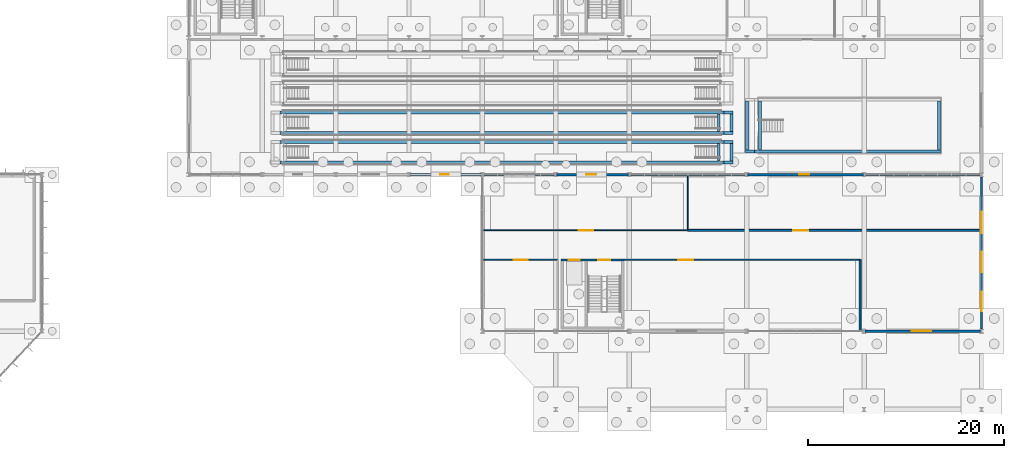
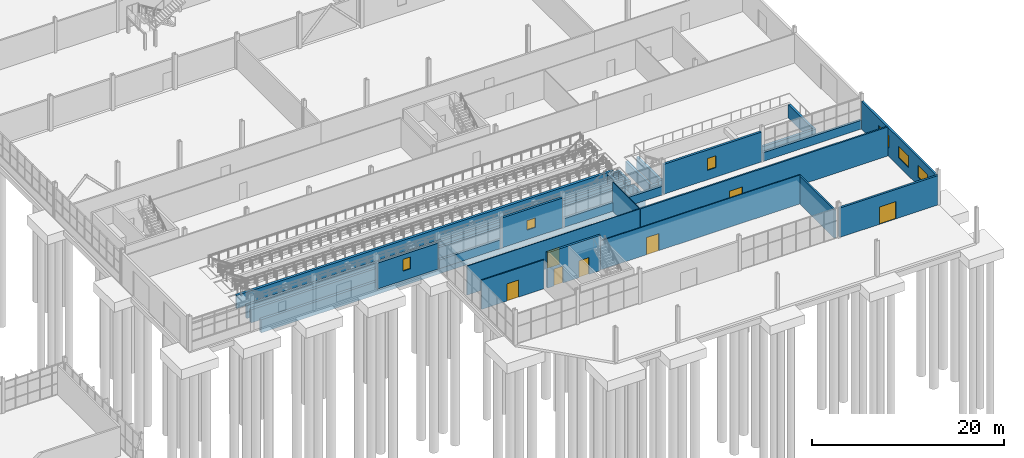
# One storey, part 114 of 136: 32 walls, 7 doors, 6 windows, 13 openings.
"""IFC4 building model written with IfcOpenShell, lengths in metres."""

import ifcopenshell
import ifcopenshell.guid

model = None  # the IFC model being written
_history = None  # IfcOwnerHistory: only IFC2X3 demands one
_inside = {}  # id of a spatial element -> (the spatial element, [elements in it])
_under = {}  # id of a project, library or spatial element -> (it, [spatial elements below it])
_declared = {}  # id of a project -> (the project, [libraries it declares])
_typed = {}  # id of a type object -> (the type object, [elements of that type])
_made_of = {}  # id of a material, layer set ... -> (it, [elements and type objects made of it])


def new_model(schema):
    """Start an empty IFC model of exactly this schema.

    Asked for "IFC4X3", IfcOpenShell would pick the latest addendum, in which some entities
    have other attributes; the version numbers below select the first issue.
    IFC2X3 requires an IfcOwnerHistory on every rooted entity: one is made here for all.
    """
    global model, _history
    if schema == "IFC4X3":
        model = ifcopenshell.file(schema_version=(4, 3, 0, 0))
    else:
        model = ifcopenshell.file(schema=schema)
    _inside.clear()
    _under.clear()
    _declared.clear()
    _typed.clear()
    _made_of.clear()
    _history = None
    if model.schema == "IFC2X3":
        org = make("IfcOrganization", Name="unknown")
        user = make(
            "IfcPersonAndOrganization",
            ThePerson=make("IfcPerson", FamilyName="unknown"),
            TheOrganization=org,
        )
        app = make(
            "IfcApplication",
            ApplicationDeveloper=org,
            Version="unknown",
            ApplicationFullName="unknown",
            ApplicationIdentifier="unknown",
        )
        _history = make(
            "IfcOwnerHistory",
            OwningUser=user,
            OwningApplication=app,
            ChangeAction="ADDED",
            CreationDate=0,
        )
    return model


def make(cls, **values):
    """One entity of the class cls with the attributes given. An attribute that is None is left unset."""
    return model.create_entity(
        cls, **{name: value for name, value in values.items() if value is not None}
    )


def rooted(cls, **values):
    """An entity with a GlobalId (a new one), such as an element, a storey or a relation."""
    return make(cls, GlobalId=ifcopenshell.guid.new(), OwnerHistory=_history, **values)


def si_unit(unit_type, name, prefix=None):
    """IfcSIUnit, for example si_unit("LENGTHUNIT", "METRE", prefix="MILLI")."""
    return make("IfcSIUnit", UnitType=unit_type, Prefix=prefix, Name=name)


def assignment(units):
    """IfcUnitAssignment: the units of a project."""
    return None if units is None else make("IfcUnitAssignment", Units=units)


def point(xyz):
    """IfcCartesianPoint."""
    return None if xyz is None else make("IfcCartesianPoint", Coordinates=xyz)


def direction(xyz):
    """IfcDirection."""
    return None if xyz is None else make("IfcDirection", DirectionRatios=xyz)


def frame(location, z_axis=None, x_axis=None):
    """IfcAxis2Placement3D, a coordinate frame: its origin and axes. An axis left out is left unset."""
    return make(
        "IfcAxis2Placement3D",
        Location=point(location),
        Axis=direction(z_axis),
        RefDirection=direction(x_axis),
    )


def frame_2d(location, x_axis=None):
    """IfcAxis2Placement2D, a coordinate frame in the plane: its origin and x axis."""
    return make(
        "IfcAxis2Placement2D", Location=point(location), RefDirection=direction(x_axis)
    )


def origin():
    """The frame at (0, 0, 0) with its axes left unset."""
    return frame((0.0, 0.0, 0.0))


def place(relative_to, where):
    """IfcLocalPlacement: puts the frame where relative to a parent placement (None: the world)."""
    return make(
        "IfcLocalPlacement", PlacementRelTo=relative_to, RelativePlacement=where
    )


def context(
    kind, dimensions, precision=None, world=None, true_north=None, identifier=None
):
    """IfcGeometricRepresentationContext, for example the 3D "Model" context."""
    return make(
        "IfcGeometricRepresentationContext",
        ContextIdentifier=identifier,
        ContextType=kind,
        CoordinateSpaceDimension=dimensions,
        Precision=precision,
        WorldCoordinateSystem=world,
        TrueNorth=true_north,
    )


def subcontext(parent, identifier, kind, view, scale=None):
    """IfcGeometricRepresentationSubContext, for example "Body" below "Model"."""
    return make(
        "IfcGeometricRepresentationSubContext",
        ContextIdentifier=identifier,
        ContextType=kind,
        ParentContext=parent,
        TargetScale=scale,
        TargetView=view,
    )


def project(units=None, contexts=None):
    """IfcProject with its units and contexts."""
    return rooted(
        "IfcProject",
        Name="project",
        RepresentationContexts=contexts,
        UnitsInContext=assignment(units),
    )


def spatial(cls, under=None, at=None, **own):
    """A site, building, storey or space (cls), placed at a placement, below another one or the project."""
    s = rooted(cls, ObjectPlacement=at, **own)
    if under is not None:
        _under.setdefault(under.id(), (under, []))[1].append(s)
    return s


def profile(cls, at=None, kind="AREA", **sizes):
    """A parametric profile (cls). Its sizes go by their IFC names, for example OverallWidth=200.0."""
    return make(cls, ProfileType=kind, Position=at, **sizes)


def rectangle(**sizes):
    """IfcRectangleProfileDef."""
    return profile("IfcRectangleProfileDef", **sizes)


def extrude(swept, where, along, depth):
    """IfcExtrudedAreaSolid: the profile swept, set in the frame where, extruded along a direction by depth."""
    return make(
        "IfcExtrudedAreaSolid",
        SweptArea=swept,
        Position=where,
        ExtrudedDirection=direction(along),
        Depth=depth,
    )


def shape(context_of_items, identifier, shape_type, items):
    """IfcShapeRepresentation: the items that make up one representation, for example the "Body"."""
    return make(
        "IfcShapeRepresentation",
        ContextOfItems=context_of_items,
        RepresentationIdentifier=identifier,
        RepresentationType=shape_type,
        Items=items,
    )


def material(Name=None, Category=None):
    """IfcMaterial."""
    return make("IfcMaterial", Name=Name, Category=Category)


def layer(
    of_material, thickness, ventilated=None, Name=None, Category=None, Priority=None
):
    """IfcMaterialLayer: one layer of a wall or slab, of a material (None: an air gap)."""
    return make(
        "IfcMaterialLayer",
        Material=of_material,
        LayerThickness=thickness,
        IsVentilated=ventilated,
        Name=Name,
        Category=Category,
        Priority=Priority,
    )


def layer_set(layers, Name=None):
    """IfcMaterialLayerSet."""
    return make("IfcMaterialLayerSet", MaterialLayers=layers, LayerSetName=Name)


def made_of(thing, what):
    """Note that an element or type object is made of a material, layer set ...; save() writes the relation."""
    if what is not None:
        _made_of.setdefault(what.id(), (what, []))[1].append(thing)
    return thing


def type_object(cls, material=None, **own):
    """A type object (cls), such as IfcWallType, which elements share."""
    return made_of(rooted(cls, **own), material)


def element(
    cls,
    number,
    at=None,
    inside=None,
    cuts=None,
    type_object=None,
    material=None,
    context=None,
    identifier="Body",
    shape_type=None,
    held_by="IfcProductDefinitionShape",
    body=None,
    shapes=None,
    **own,
):
    """One element of the class cls, such as IfcWall. Its Tag is "e" and its number.

    at: its placement. inside: the storey or other place that contains it. cuts: it is an
    opening in that element (IfcRelVoidsElement). A single representation is given by context,
    identifier, shape_type and body (its items); several are given by shapes. held_by: the class
    of the entity that holds the representations. save() writes the other relations.
    """
    e = rooted(cls, Tag="e%d" % number, ObjectPlacement=at, **own)
    if body is not None:
        shapes = [shape(context, identifier, shape_type, body)]
    if shapes is not None:
        e.Representation = make(held_by, Representations=shapes)
    if inside is not None:
        _inside.setdefault(inside.id(), (inside, []))[1].append(e)
    if cuts is not None:
        rooted(
            "IfcRelVoidsElement", RelatingBuildingElement=cuts, RelatedOpeningElement=e
        )
    if type_object is not None:
        _typed.setdefault(type_object.id(), (type_object, []))[1].append(e)
    return made_of(e, material)


def fill(opening, filler):
    """IfcRelFillsElement: the door or window that sits in an opening."""
    return rooted(
        "IfcRelFillsElement",
        RelatingOpeningElement=opening,
        RelatedBuildingElement=filler,
    )


def aggregate(whole, parts):
    """IfcRelAggregates: a whole, such as a stair, and the parts it consists of."""
    return rooted("IfcRelAggregates", RelatingObject=whole, RelatedObjects=parts)


def save(model, path):
    """Write the relations noted so far, then the file.

    IfcRelAggregates (storeys below a building ...), IfcRelContainedInSpatialStructure (elements
    in a storey), IfcRelDefinesByType, IfcRelAssociatesMaterial and IfcRelDeclares: one each for
    every whole, place, type object, material and project.
    """
    for whole, parts in _under.values():
        aggregate(whole, parts)
    for where, things in _inside.values():
        rooted(
            "IfcRelContainedInSpatialStructure",
            RelatedElements=things,
            RelatingStructure=where,
        )
    for kind, things in _typed.values():
        rooted("IfcRelDefinesByType", RelatedObjects=things, RelatingType=kind)
    for what, things in _made_of.values():
        rooted("IfcRelAssociatesMaterial", RelatedObjects=things, RelatingMaterial=what)
    for by, libraries in _declared.values():
        rooted("IfcRelDeclares", RelatingContext=by, RelatedDefinitions=libraries)
    model.write(path)


model = new_model("IFC4")

# Units and contexts
model_context = context("Model", 3, precision=1e-05, world=origin(), true_north=direction((0.0, 1.0)))
body_context = subcontext(model_context, "Body", "Model", "MODEL_VIEW")
ifc_project = project(units=[si_unit("LENGTHUNIT", "METRE"), si_unit("AREAUNIT", "SQUARE_METRE"), si_unit("VOLUMEUNIT", "CUBIC_METRE"), si_unit("PLANEANGLEUNIT", "RADIAN"), si_unit("MASSUNIT", "GRAM", prefix="KILO")], contexts=[model_context])

# Site, building, storey
site_placement = place(None, origin())
site = spatial("IfcSite", under=ifc_project, at=site_placement, CompositionType="ELEMENT")
building_placement = place(site_placement, origin())
building = spatial("IfcBuilding", under=site, at=building_placement, Name="Solvenia Promenade Tram Depot", CompositionType="ELEMENT")
storey_placement = place(building_placement, origin())
storey = spatial("IfcBuildingStorey", under=building, at=storey_placement, Name="L00", CompositionType="ELEMENT", Elevation=0.0)

# Wall, openings, doors
ifc_material_1 = material(Name="Concrete C28/35", Category="concrete")
ifc_layer_1 = layer(ifc_material_1, 0.25, Name="Concrete C28/35", Category="concrete")
ifc_layer_set_1 = layer_set([ifc_layer_1], Name="Concrete C28/35")
wall_type_1 = type_object("IfcWallType", Name="Wall-Core-250", PredefinedType="SHEAR", material=ifc_layer_set_1)
wall_1_placement = place(storey_placement, frame((143.050048828125, 15.27490234375, 0.0), z_axis=(0.0, 0.0, 1.0), x_axis=(1.0, 0.0, 0.0)))
wall_1 = element("IfcWall", 1, at=wall_1_placement, inside=storey, type_object=wall_type_1, Name="Core C8 Shear Wall WC-C8-L00-N", PredefinedType="SHEAR", context=body_context, shape_type="SweptSolid", body=[
    extrude(rectangle(XDim=6.39990234375, YDim=0.25, at=frame_2d((3.199951171875, 0.0))), origin(), (0.0, 0.0, 1.0), 4.5),
])
opening_1_placement = place(wall_1_placement, frame((0.800048828125, 0.0, 0.0)))
opening_1 = element("IfcOpeningElement", 2, at=opening_1_placement, cuts=wall_1, Name="Opening LD-08", PredefinedType="OPENING", context=body_context, shape_type="SweptSolid", body=[
    extrude(rectangle(XDim=1.10009765625, YDim=2.14990234375, at=frame_2d((0.550048828125, 1.074951171875))), frame((0.0, 0.135009765625, 0.0), z_axis=(0.0, -1.0, 0.0), x_axis=(1.0, 0.0, 0.0)), (0.0, 0.0, 1.0), 0.27001953125),
])
opening_2_placement = place(wall_1_placement, frame((3.77490234375, 0.0, 0.0)))
opening_2 = element("IfcOpeningElement", 3, at=opening_2_placement, cuts=wall_1, Name="Opening D-FD90", PredefinedType="OPENING", context=body_context, shape_type="SweptSolid", body=[
    extrude(rectangle(XDim=1.25, YDim=2.14990234375, at=frame_2d((0.625, 1.074951171875))), frame((0.0, 0.135009765625, 0.0), z_axis=(0.0, -1.0, 0.0), x_axis=(1.0, 0.0, 0.0)), (0.0, 0.0, 1.0), 0.27001953125),
])
ifc_material_2 = material(Name="Galvanized painted sheet steel", Category="steel")
door_type_1 = type_object("IfcDoorType", Name="Door-Lift-Pass-1100", OperationType="DOUBLE_DOOR_SLIDING", PredefinedType="DOOR", material=ifc_material_2)
door_1_placement = place(opening_1_placement, origin())
door_1 = element("IfcDoor", 4, at=door_1_placement, inside=storey, type_object=door_type_1, Name="Lift Landing Door LF-04 L00", OperationType="DOUBLE_DOOR_SLIDING", OverallHeight=2.14990234375, OverallWidth=1.10009765625, PredefinedType="DOOR", context=body_context, shape_type="SweptSolid", body=[
    extrude(rectangle(XDim=1.10009765625, YDim=2.14990234375, at=frame_2d((0.550048828125, 1.074951171875))), frame((0.0, 0.02490234375, 0.0), z_axis=(0.0, -1.0, 0.0), x_axis=(1.0, 0.0, 0.0)), (0.0, 0.0, 1.0), 0.050048828125),
])
fill(opening_1, door_1)
door_type_2 = type_object("IfcDoorType", Name="Door-Stair-FD90", OperationType="NOTDEFINED", PredefinedType="DOOR", material=ifc_material_2)
door_2_placement = place(opening_2_placement, origin())
door_2 = element("IfcDoor", 5, at=door_2_placement, inside=storey, type_object=door_type_2, Name="Exit Stair Door C8 L00", OperationType="SINGLE_SWING_RIGHT", OverallHeight=2.14990234375, OverallWidth=1.25, PredefinedType="DOOR", context=body_context, shape_type="SweptSolid", body=[
    extrude(rectangle(XDim=1.25, YDim=2.14990234375, at=frame_2d((0.625, 1.074951171875))), frame((0.0, 0.02490234375, 0.0), z_axis=(0.0, -1.0, 0.0), x_axis=(1.0, 0.0, 0.0)), (0.0, 0.0, 1.0), 0.050048828125),
])
fill(opening_2, door_2)

# Wall
ifc_material_3 = material(Name="Concrete blockwork masonry", Category="masonry")
ifc_layer_2 = layer(ifc_material_3, 0.18505859375, Name="Concrete blockwork masonry", Category="masonry")
ifc_layer_set_2 = layer_set([ifc_layer_2], Name="Concrete blockwork masonry")
wall_type_2 = type_object("IfcWallType", Name="Wall-Masonry-185", PredefinedType="PARTITIONING", material=ifc_layer_set_2)
wall_2_placement = place(storey_placement, frame((173.60009765625, 8.050048828125, 0.0), z_axis=(0.0, 0.0, 1.0), x_axis=(0.0, 1.0, 0.0)))
element("IfcWall", 6, at=wall_2_placement, inside=storey, type_object=wall_type_2, Name="Transit Visitor Gallery Dividing Wall WP-L00-048", PredefinedType="PARTITIONING", context=body_context, shape_type="SweptSolid", body=[
    extrude(rectangle(XDim=7.25, YDim=0.18505859375, at=frame_2d((3.625, 0.0))), origin(), (0.0, 0.0, 1.0), 3.5810546875),
])

# Wall, opening, door
wall_3_placement = place(storey_placement, frame((156.0, 18.300048828125, 0.0), z_axis=(0.0, 0.0, 1.0), x_axis=(1.0, 0.0, 0.0)))
wall_3 = element("IfcWall", 7, at=wall_3_placement, inside=storey, type_object=wall_type_2, Name="Cycle Hub Partition WP-L00-049", PredefinedType="PARTITIONING", context=body_context, shape_type="SweptSolid", body=[
    extrude(rectangle(XDim=29.840087890625, YDim=0.18505859375, at=frame_2d((14.919921875, 0.0))), origin(), (0.0, 0.0, 1.0), 3.699951171875),
])
opening_3_placement = place(wall_3_placement, frame((10.74609375, 0.0, 0.0)))
opening_3 = element("IfcOpeningElement", 8, at=opening_3_placement, cuts=wall_3, Name="Opening DR-29", PredefinedType="OPENING", context=body_context, shape_type="SweptSolid", body=[
    extrude(rectangle(XDim=1.56005859375, YDim=2.199951171875, at=frame_2d((0.780029296875, 1.10009765625))), frame((0.0, 0.1025390625, 0.0), z_axis=(0.0, -1.0, 0.0), x_axis=(1.0, 0.0, 0.0)), (0.0, 0.0, 1.0), 0.205078125),
])
door_type_3 = type_object("IfcDoorType", Name="Door-Room-1560x2200", OperationType="NOTDEFINED", PredefinedType="DOOR", material=ifc_material_2)
door_3_placement = place(opening_3_placement, origin())
door_3 = element("IfcDoor", 9, at=door_3_placement, inside=storey, type_object=door_type_3, Name="Door to Cycle Hub", OperationType="SINGLE_SWING_LEFT", OverallHeight=2.199951171875, OverallWidth=1.56005859375, PredefinedType="DOOR", context=body_context, shape_type="SweptSolid", body=[
    extrude(rectangle(XDim=1.56005859375, YDim=2.199951171875, at=frame_2d((0.780029296875, 1.10009765625))), frame((0.0, 0.02490234375, 0.0), z_axis=(0.0, -1.0, 0.0), x_axis=(1.0, 0.0, 0.0)), (0.0, 0.0, 1.0), 0.050048828125),
])
fill(opening_3, door_3)

# Wall
ifc_material_4 = material(Name="Gypsum board acoustic partition", Category="other")
ifc_layer_3 = layer(ifc_material_4, 0.10595703125, Name="Gypsum board acoustic partition", Category="other")
ifc_layer_set_3 = layer_set([ifc_layer_3], Name="Gypsum board acoustic partition")
wall_type_3 = type_object("IfcWallType", Name="Wall-Part-106", PredefinedType="PARTITIONING", material=ifc_layer_set_3)
wall_4_placement = place(storey_placement, frame((156.0, 18.300048828125, 0.0), z_axis=(0.0, 0.0, 1.0), x_axis=(0.0, 1.0, 0.0)))
element("IfcWall", 10, at=wall_4_placement, inside=storey, type_object=wall_type_3, Name="Promenade Cafe Dividing Wall WP-L00-046", PredefinedType="PARTITIONING", context=body_context, shape_type="SweptSolid", body=[
    extrude(rectangle(XDim=5.619873046875, YDim=0.10595703125, at=frame_2d((2.81005859375, 0.0))), origin(), (0.0, 0.0, 1.0), 3.699951171875),
])

# Wall, opening, door
wall_5_placement = place(storey_placement, frame((149.324951171875, 15.300048828125, 0.0), z_axis=(0.0, 0.0, 1.0), x_axis=(1.0, 0.0, 0.0)))
wall_5 = element("IfcWall", 11, at=wall_5_placement, inside=storey, type_object=wall_type_3, Name="Transit Visitor Gallery Partition WP-L00-047", PredefinedType="PARTITIONING", context=body_context, shape_type="SweptSolid", body=[
    extrude(rectangle(XDim=24.275146484375, YDim=0.10595703125, at=frame_2d((12.1376953125, 0.0))), origin(), (0.0, 0.0, 1.0), 3.699951171875),
])
opening_4_placement = place(wall_5_placement, frame((5.68896484375, 0.0, 0.0)))
opening_4 = element("IfcOpeningElement", 12, at=opening_4_placement, cuts=wall_5, Name="Opening DR-28", PredefinedType="OPENING", context=body_context, shape_type="SweptSolid", body=[
    extrude(rectangle(XDim=1.52001953125, YDim=2.179931640625, at=frame_2d((0.760009765625, 1.08984375))), frame((0.0, 0.06298828125, 0.0), z_axis=(0.0, -1.0, 0.0), x_axis=(1.0, 0.0, 0.0)), (0.0, 0.0, 1.0), 0.1259765625),
])
door_type_4 = type_object("IfcDoorType", Name="Door-Room-1520x2180", OperationType="NOTDEFINED", PredefinedType="DOOR", material=ifc_material_2)
door_4_placement = place(opening_4_placement, origin())
door_4 = element("IfcDoor", 13, at=door_4_placement, inside=storey, type_object=door_type_4, Name="Door to Transit Visitor Gallery", OperationType="SINGLE_SWING_RIGHT", OverallHeight=2.179931640625, OverallWidth=1.52001953125, PredefinedType="DOOR", context=body_context, shape_type="SweptSolid", body=[
    extrude(rectangle(XDim=1.52001953125, YDim=2.179931640625, at=frame_2d((0.760009765625, 1.08984375))), frame((0.0, 0.02490234375, 0.0), z_axis=(0.0, -1.0, 0.0), x_axis=(1.0, 0.0, 0.0)), (0.0, 0.0, 1.0), 0.050048828125),
])
fill(opening_4, door_4)

ifc_layer_4 = layer(ifc_material_4, 0.1220703125, Name="Gypsum board acoustic partition", Category="other")
ifc_layer_set_4 = layer_set([ifc_layer_4], Name="Gypsum board acoustic partition")
wall_type_4 = type_object("IfcWallType", Name="Wall-Part-122", PredefinedType="PARTITIONING", material=ifc_layer_set_4)
wall_6_placement = place(storey_placement, frame((135.159912109375, 18.300048828125, 0.0), z_axis=(0.0, 0.0, 1.0), x_axis=(1.0, 0.0, 0.0)))
wall_6 = element("IfcWall", 14, at=wall_6_placement, inside=storey, type_object=wall_type_4, Name="Promenade Cafe Partition WP-L00-045", PredefinedType="PARTITIONING", context=body_context, shape_type="SweptSolid", body=[
    extrude(rectangle(XDim=20.840087890625, YDim=0.1220703125, at=frame_2d((10.419921875, 0.0))), origin(), (0.0, 0.0, 1.0), 3.699951171875),
])
opening_5_placement = place(wall_6_placement, frame((9.68994140625, 0.0, 0.0)))
opening_5 = element("IfcOpeningElement", 15, at=opening_5_placement, cuts=wall_6, Name="Opening DR-27", PredefinedType="OPENING", context=body_context, shape_type="SweptSolid", body=[
    extrude(rectangle(XDim=1.4599609375, YDim=2.199951171875, at=frame_2d((0.72998046875, 1.10009765625))), frame((0.0, 0.071044921875, 0.0), z_axis=(0.0, -1.0, 0.0), x_axis=(1.0, 0.0, 0.0)), (0.0, 0.0, 1.0), 0.14208984375),
])
door_type_5 = type_object("IfcDoorType", Name="Door-Room-1460x2200", OperationType="NOTDEFINED", PredefinedType="DOOR", material=ifc_material_2)
door_5_placement = place(opening_5_placement, origin())
door_5 = element("IfcDoor", 16, at=door_5_placement, inside=storey, type_object=door_type_5, Name="Door to Promenade Cafe", OperationType="SINGLE_SWING_LEFT", OverallHeight=2.199951171875, OverallWidth=1.4599609375, PredefinedType="DOOR", context=body_context, shape_type="SweptSolid", body=[
    extrude(rectangle(XDim=1.4599609375, YDim=2.199951171875, at=frame_2d((0.72998046875, 1.10009765625))), frame((0.0, 0.02490234375, 0.0), z_axis=(0.0, -1.0, 0.0), x_axis=(1.0, 0.0, 0.0)), (0.0, 0.0, 1.0), 0.050048828125),
])
fill(opening_5, door_5)

ifc_layer_5 = layer(ifc_material_4, 0.137939453125, Name="Gypsum board acoustic partition", Category="other")
ifc_layer_set_5 = layer_set([ifc_layer_5], Name="Gypsum board acoustic partition")
wall_type_5 = type_object("IfcWallType", Name="Wall-Part-138", PredefinedType="PARTITIONING", material=ifc_layer_set_5)
wall_7_placement = place(storey_placement, frame((135.159912109375, 15.300048828125, 0.0), z_axis=(0.0, 0.0, 1.0), x_axis=(1.0, 0.0, 0.0)))
wall_7 = element("IfcWall", 17, at=wall_7_placement, inside=storey, type_object=wall_type_5, Name="Promenade Public Accessible WC Partition WP-L00-043", PredefinedType="PARTITIONING", context=body_context, shape_type="SweptSolid", body=[
    extrude(rectangle(XDim=7.5400390625, YDim=0.137939453125, at=frame_2d((3.77001953125, 0.0))), origin(), (0.0, 0.0, 1.0), 3.699951171875),
])
opening_6_placement = place(wall_7_placement, frame((3.06005859375, 0.0, 0.0)))
opening_6 = element("IfcOpeningElement", 18, at=opening_6_placement, cuts=wall_7, Name="Opening DR-26", PredefinedType="OPENING", context=body_context, shape_type="SweptSolid", body=[
    extrude(rectangle(XDim=1.419921875, YDim=2.179931640625, at=frame_2d((0.7099609375, 1.08984375))), frame((0.0, 0.078857421875, 0.0), z_axis=(0.0, -1.0, 0.0), x_axis=(1.0, 0.0, 0.0)), (0.0, 0.0, 1.0), 0.157958984375),
])
door_type_6 = type_object("IfcDoorType", Name="Door-Room-1420x2180", OperationType="NOTDEFINED", PredefinedType="DOOR", material=ifc_material_2)
door_6_placement = place(opening_6_placement, origin())
door_6 = element("IfcDoor", 19, at=door_6_placement, inside=storey, type_object=door_type_6, Name="Door to Promenade Public Accessible WC", OperationType="SINGLE_SWING_RIGHT", OverallHeight=2.179931640625, OverallWidth=1.419921875, PredefinedType="DOOR", context=body_context, shape_type="SweptSolid", body=[
    extrude(rectangle(XDim=1.419921875, YDim=2.179931640625, at=frame_2d((0.7099609375, 1.08984375))), frame((0.0, 0.02490234375, 0.0), z_axis=(0.0, -1.0, 0.0), x_axis=(1.0, 0.0, 0.0)), (0.0, 0.0, 1.0), 0.050048828125),
])
fill(opening_6, door_6)

# Walls
ifc_material_5 = material(Name="Concrete C35/45", Category="concrete")
ifc_layer_6 = layer(ifc_material_5, 0.300048828125, Name="Concrete C35/45", Category="concrete")
ifc_layer_set_6 = layer_set([ifc_layer_6], Name="Concrete C35/45")
wall_type_6 = type_object("IfcWallType", Name="Wall-Pit-300", PredefinedType="USERDEFINED", material=ifc_layer_set_6)
for number, where, z_axis, x_axis, name in (
    (20, (114.300048828125, 25.25, -1.675048828125), (0.0, 0.0, 1.0), (1.0, 0.0, 0.0), "Inspection Pit Bay 1 Retaining Wall S"),
    (21, (114.300048828125, 27.35009765625, -1.675048828125), (0.0, 0.0, 1.0), (1.0, 0.0, 0.0), "Inspection Pit Bay 1 Retaining Wall N"),
):
    element("IfcWall", number, at=place(storey_placement, frame(where, z_axis=z_axis, x_axis=x_axis)), inside=storey, type_object=wall_type_6, Name=name, ObjectType="RETAINING WALL", PredefinedType="USERDEFINED", context=body_context, shape_type="SweptSolid", body=[
        extrude(rectangle(XDim=45.39990234375, YDim=0.300048828125, at=frame_2d((22.699951171875, 0.0))), origin(), (0.0, 0.0, 1.0), 1.675048828125),
    ])
wall_8_placement = place(storey_placement, frame((159.14990234375, 25.39990234375, -1.675048828125), z_axis=(0.0, 0.0, 1.0), x_axis=(0.0, 1.0, 0.0)))
element("IfcWall", 22, at=wall_8_placement, inside=storey, type_object=wall_type_6, Name="Inspection Pit Bay 1 Retaining Wall E", ObjectType="RETAINING WALL", PredefinedType="USERDEFINED", context=body_context, shape_type="SweptSolid", body=[
    extrude(rectangle(XDim=1.800048828125, YDim=0.300048828125, at=frame_2d((0.89990234375, 0.0))), origin(), (0.0, 0.0, 1.0), 1.455078125),
])
for number, where, z_axis, x_axis, name in (
    (23, (159.699951171875, 25.25, -1.675048828125), (0.0, 0.0, 1.0), (1.0, 0.0, 0.0), "Inspection Pit Bay 1 East Drain Cheek Wall S"),
    (24, (159.699951171875, 27.35009765625, -1.675048828125), (0.0, 0.0, 1.0), (1.0, 0.0, 0.0), "Inspection Pit Bay 1 East Drain Cheek Wall N"),
):
    element("IfcWall", number, at=place(storey_placement, frame(where, z_axis=z_axis, x_axis=x_axis)), inside=storey, type_object=wall_type_6, Name=name, ObjectType="RETAINING WALL", PredefinedType="USERDEFINED", context=body_context, shape_type="SweptSolid", body=[
        extrude(rectangle(XDim=0.900146484375, YDim=0.300048828125, at=frame_2d((0.4501953125, 0.0))), origin(), (0.0, 0.0, 1.0), 1.344970703125),
    ])
wall_9_placement = place(storey_placement, frame((160.449951171875, 25.39990234375, -1.675048828125), z_axis=(0.0, 0.0, 1.0), x_axis=(0.0, 1.0, 0.0)))
element("IfcWall", 25, at=wall_9_placement, inside=storey, type_object=wall_type_6, Name="Inspection Pit Bay 1 East Apron End Wall", ObjectType="RETAINING WALL", PredefinedType="USERDEFINED", context=body_context, shape_type="SweptSolid", body=[
    extrude(rectangle(XDim=1.800048828125, YDim=0.300048828125, at=frame_2d((0.89990234375, 0.0))), origin(), (0.0, 0.0, 1.0), 1.344970703125),
])
for number, where, z_axis, x_axis, name in (
    (26, (114.300048828125, 28.25, -1.675048828125), (0.0, 0.0, 1.0), (1.0, 0.0, 0.0), "Inspection Pit Bay 2 Retaining Wall S"),
    (27, (114.300048828125, 30.35009765625, -1.675048828125), (0.0, 0.0, 1.0), (1.0, 0.0, 0.0), "Inspection Pit Bay 2 Retaining Wall N"),
):
    element("IfcWall", number, at=place(storey_placement, frame(where, z_axis=z_axis, x_axis=x_axis)), inside=storey, type_object=wall_type_6, Name=name, ObjectType="RETAINING WALL", PredefinedType="USERDEFINED", context=body_context, shape_type="SweptSolid", body=[
        extrude(rectangle(XDim=45.39990234375, YDim=0.300048828125, at=frame_2d((22.699951171875, 0.0))), origin(), (0.0, 0.0, 1.0), 1.675048828125),
    ])
wall_10_placement = place(storey_placement, frame((159.14990234375, 28.39990234375, -1.675048828125), z_axis=(0.0, 0.0, 1.0), x_axis=(0.0, 1.0, 0.0)))
element("IfcWall", 28, at=wall_10_placement, inside=storey, type_object=wall_type_6, Name="Inspection Pit Bay 2 Retaining Wall E", ObjectType="RETAINING WALL", PredefinedType="USERDEFINED", context=body_context, shape_type="SweptSolid", body=[
    extrude(rectangle(XDim=1.800048828125, YDim=0.300048828125, at=frame_2d((0.89990234375, 0.0))), origin(), (0.0, 0.0, 1.0), 1.455078125),
])
for number, where, z_axis, x_axis, name in (
    (29, (159.699951171875, 28.25, -1.675048828125), (0.0, 0.0, 1.0), (1.0, 0.0, 0.0), "Inspection Pit Bay 2 East Drain Cheek Wall S"),
    (30, (159.699951171875, 30.35009765625, -1.675048828125), (0.0, 0.0, 1.0), (1.0, 0.0, 0.0), "Inspection Pit Bay 2 East Drain Cheek Wall N"),
):
    element("IfcWall", number, at=place(storey_placement, frame(where, z_axis=z_axis, x_axis=x_axis)), inside=storey, type_object=wall_type_6, Name=name, ObjectType="RETAINING WALL", PredefinedType="USERDEFINED", context=body_context, shape_type="SweptSolid", body=[
        extrude(rectangle(XDim=0.900146484375, YDim=0.300048828125, at=frame_2d((0.4501953125, 0.0))), origin(), (0.0, 0.0, 1.0), 1.344970703125),
    ])
wall_11_placement = place(storey_placement, frame((160.449951171875, 28.39990234375, -1.675048828125), z_axis=(0.0, 0.0, 1.0), x_axis=(0.0, 1.0, 0.0)))
element("IfcWall", 31, at=wall_11_placement, inside=storey, type_object=wall_type_6, Name="Inspection Pit Bay 2 East Apron End Wall", ObjectType="RETAINING WALL", PredefinedType="USERDEFINED", context=body_context, shape_type="SweptSolid", body=[
    extrude(rectangle(XDim=1.800048828125, YDim=0.300048828125, at=frame_2d((0.89990234375, 0.0))), origin(), (0.0, 0.0, 1.0), 1.344970703125),
])
wall_12_placement = place(storey_placement, frame((162.800048828125, 26.35009765625, -1.675048828125), z_axis=(0.0, 0.0, 1.0), x_axis=(1.0, 0.0, 0.0)))
element("IfcWall", 32, at=wall_12_placement, inside=storey, type_object=wall_type_6, Name="Underfloor Wheel Lathe Bay Retaining Wall S", ObjectType="RETAINING WALL", PredefinedType="USERDEFINED", context=body_context, shape_type="SweptSolid", body=[
    extrude(rectangle(XDim=19.0, YDim=0.300048828125, at=frame_2d((9.5, 0.0))), origin(), (0.0, 0.0, 1.0), 1.675048828125),
])
wall_13_placement = place(storey_placement, frame((161.89990234375, 26.35009765625, -1.675048828125), z_axis=(0.0, 0.0, 1.0), x_axis=(1.0, 0.0, 0.0)))
element("IfcWall", 33, at=wall_13_placement, inside=storey, type_object=wall_type_6, Name="Underfloor Wheel Lathe Bay Drain Cheek Wall S", ObjectType="RETAINING WALL", PredefinedType="USERDEFINED", context=body_context, shape_type="SweptSolid", body=[
    extrude(rectangle(XDim=0.900146484375, YDim=0.300048828125, at=frame_2d((0.4501953125, 0.0))), origin(), (0.0, 0.0, 1.0), 1.344970703125),
])
wall_14_placement = place(storey_placement, frame((162.050048828125, 26.5, -1.675048828125), z_axis=(0.0, 0.0, 1.0), x_axis=(0.0, 1.0, 0.0)))
element("IfcWall", 34, at=wall_14_placement, inside=storey, type_object=wall_type_6, Name="Underfloor Wheel Lathe Bay Apron End Wall", ObjectType="RETAINING WALL", PredefinedType="USERDEFINED", context=body_context, shape_type="SweptSolid", body=[
    extrude(rectangle(XDim=5.0, YDim=0.300048828125, at=frame_2d((2.5, 0.0))), origin(), (0.0, 0.0, 1.0), 1.344970703125),
])
wall_15_placement = place(storey_placement, frame((163.35009765625, 26.5, -1.675048828125), z_axis=(0.0, 0.0, 1.0), x_axis=(0.0, 1.0, 0.0)))
element("IfcWall", 35, at=wall_15_placement, inside=storey, type_object=wall_type_6, Name="Underfloor Wheel Lathe Bay Retaining Wall W", ObjectType="RETAINING WALL", PredefinedType="USERDEFINED", context=body_context, shape_type="SweptSolid", body=[
    extrude(rectangle(XDim=5.0, YDim=0.300048828125, at=frame_2d((2.5, 0.0))), origin(), (0.0, 0.0, 1.0), 1.455078125),
])
wall_16_placement = place(storey_placement, frame((181.64990234375, 26.5, -1.675048828125), z_axis=(0.0, 0.0, 1.0), x_axis=(0.0, 1.0, 0.0)))
element("IfcWall", 36, at=wall_16_placement, inside=storey, type_object=wall_type_6, Name="Underfloor Wheel Lathe Bay Retaining Wall E", ObjectType="RETAINING WALL", PredefinedType="USERDEFINED", context=body_context, shape_type="SweptSolid", body=[
    extrude(rectangle(XDim=5.0, YDim=0.300048828125, at=frame_2d((2.5, 0.0))), origin(), (0.0, 0.0, 1.0), 1.675048828125),
])
ifc_layer_7 = layer(ifc_material_5, 0.300048828125, Name="Concrete C35/45", Category="concrete")
ifc_layer_set_7 = layer_set([ifc_layer_7], Name="Concrete C35/45")
wall_type_7 = type_object("IfcWallType", Name="Wall-Plinth-300", PredefinedType="SOLIDWALL", material=ifc_layer_set_7)
wall_17_placement = place(storey_placement, frame((135.080078125, 24.0, 0.0), z_axis=(0.0, 0.0, 1.0), x_axis=(1.0, 0.0, 0.0)))
element("IfcWall", 37, at=wall_17_placement, inside=storey, type_object=wall_type_7, Name="Maintenance South Plinth EW-L00-053", PredefinedType="SOLIDWALL", context=body_context, shape_type="SweptSolid", body=[
    extrude(rectangle(XDim=7.33984375, YDim=0.300048828125, at=frame_2d((3.669921875, 0.0))), origin(), (0.0, 0.0, 1.0), 1.10009765625),
])
for number, where, z_axis, x_axis, name in (
    (38, (150.080078125, 24.0, 0.0), (0.0, 0.0, 1.0), (1.0, 0.0, 0.0), "Maintenance South Plinth EW-L00-055"),
    (39, (174.080078125, 24.0, 0.0), (0.0, 0.0, 1.0), (1.0, 0.0, 0.0), "Maintenance South Plinth EW-L00-057"),
):
    element("IfcWall", number, at=place(storey_placement, frame(where, z_axis=z_axis, x_axis=x_axis)), inside=storey, type_object=wall_type_7, Name=name, PredefinedType="SOLIDWALL", context=body_context, shape_type="SweptSolid", body=[
        extrude(rectangle(XDim=11.83984375, YDim=0.300048828125, at=frame_2d((5.919921875, 0.0))), origin(), (0.0, 0.0, 1.0), 1.10009765625),
    ])

# Wall, opening, door
ifc_layer_8 = layer(ifc_material_5, 0.239990234375, Name="Concrete C35/45", Category="concrete")
ifc_layer_set_8 = layer_set([ifc_layer_8], Name="Concrete C35/45")
wall_type_8 = type_object("IfcWallType", Name="Wall-Spandrel-240", PredefinedType="SOLIDWALL", material=ifc_layer_set_8)
wall_18_placement = place(storey_placement, frame((174.080078125, 8.0, 0.0), z_axis=(0.0, 0.0, 1.0), x_axis=(1.0, 0.0, 0.0)))
wall_18 = element("IfcWall", 40, at=wall_18_placement, inside=storey, type_object=wall_type_8, Name="Promenade Colonnade Entrance Wall EW-L00-092", PredefinedType="SOLIDWALL", context=body_context, shape_type="SweptSolid", body=[
    extrude(rectangle(XDim=11.83984375, YDim=0.239990234375, at=frame_2d((5.919921875, 0.0))), origin(), (0.0, 0.0, 1.0), 3.75),
])
opening_7_placement = place(wall_18_placement, frame((4.780029296875, 0.0, 0.0)))
opening_7 = element("IfcOpeningElement", 41, at=opening_7_placement, cuts=wall_18, Name="Opening ED-11", PredefinedType="OPENING", context=body_context, shape_type="SweptSolid", body=[
    extrude(rectangle(XDim=2.0, YDim=2.199951171875, at=frame_2d((1.0, 1.10009765625))), frame((0.0, 0.1298828125, 0.0), z_axis=(0.0, -1.0, 0.0), x_axis=(1.0, 0.0, 0.0)), (0.0, 0.0, 1.0), 0.260009765625),
])
door_type_7 = type_object("IfcDoorType", Name="Door-Exit-2000x2200", OperationType="NOTDEFINED", PredefinedType="DOOR", material=ifc_material_2)
door_7_placement = place(opening_7_placement, frame((2.0, 0.0, 0.0), z_axis=(0.0, 0.0, 1.0), x_axis=(-1.0, 0.0, 0.0)))
door_7 = element("IfcDoor", 42, at=door_7_placement, inside=storey, type_object=door_type_7, Name="Promenade Public Entrance Exit Door ED-11", OperationType="SINGLE_SWING_RIGHT", OverallHeight=2.199951171875, OverallWidth=2.0, PredefinedType="DOOR", context=body_context, shape_type="SweptSolid", body=[
    extrude(rectangle(XDim=2.0, YDim=2.199951171875, at=frame_2d((1.0, 1.10009765625))), frame((0.0, 0.02490234375, 0.0), z_axis=(0.0, -1.0, 0.0), x_axis=(1.0, 0.0, 0.0)), (0.0, 0.0, 1.0), 0.050048828125),
])
fill(opening_7, door_7)

# Wall, openings, windows
wall_19_placement = place(storey_placement, frame((186.0, 8.219970703125, 0.0), z_axis=(0.0, 0.0, 1.0), x_axis=(0.0, 1.0, 0.0)))
wall_19 = element("IfcWall", 43, at=wall_19_placement, inside=storey, type_object=wall_type_8, Name="L00 Cycle Hub East Wall EW-L00-093", PredefinedType="SOLIDWALL", context=body_context, shape_type="SweptSolid", body=[
    extrude(rectangle(XDim=15.56005859375, YDim=0.239990234375, at=frame_2d((7.780029296875, 0.0))), origin(), (0.0, 0.0, 1.0), 3.5810546875),
])
opening_8_placement = place(wall_19_placement, frame((1.800048828125, 0.0, 1.050048828125)))
opening_8 = element("IfcOpeningElement", 44, at=opening_8_placement, cuts=wall_19, Name="Opening WN-26", PredefinedType="OPENING", context=body_context, shape_type="SweptSolid", body=[
    extrude(rectangle(XDim=2.0, YDim=1.5, at=frame_2d((1.0, 0.75))), frame((0.0, 0.1298828125, 0.0), z_axis=(0.0, -1.0, 0.0), x_axis=(1.0, 0.0, 0.0)), (0.0, 0.0, 1.0), 0.260009765625),
])
opening_9_placement = place(wall_19_placement, frame((5.800048828125, 0.0, 1.050048828125)))
opening_9 = element("IfcOpeningElement", 45, at=opening_9_placement, cuts=wall_19, Name="Opening WN-27", PredefinedType="OPENING", context=body_context, shape_type="SweptSolid", body=[
    extrude(rectangle(XDim=2.10009765625, YDim=1.5, at=frame_2d((1.050048828125, 0.75))), frame((0.0, 0.1298828125, 0.0), z_axis=(0.0, -1.0, 0.0), x_axis=(1.0, 0.0, 0.0)), (0.0, 0.0, 1.0), 0.260009765625),
])
opening_10_placement = place(wall_19_placement, frame((9.800048828125, 0.0, 1.050048828125)))
opening_10 = element("IfcOpeningElement", 46, at=opening_10_placement, cuts=wall_19, Name="Opening WN-28", PredefinedType="OPENING", context=body_context, shape_type="SweptSolid", body=[
    extrude(rectangle(XDim=2.199951171875, YDim=1.60009765625, at=frame_2d((1.10009765625, 0.800048828125))), frame((0.0, 0.1298828125, 0.0), z_axis=(0.0, -1.0, 0.0), x_axis=(1.0, 0.0, 0.0)), (0.0, 0.0, 1.0), 0.260009765625),
])
ifc_material_6 = material(Name="Double low-e argon insulated glass", Category="glass")
window_type_1 = type_object("IfcWindowType", Name="Win-2000x1500", PartitioningType="DOUBLE_PANEL_VERTICAL", PredefinedType="WINDOW", material=ifc_material_6)
window_1_placement = place(opening_8_placement, origin())
window_1 = element("IfcWindow", 47, at=window_1_placement, inside=storey, type_object=window_type_1, Name="L00 East Promenade Window 026", OverallHeight=1.5, OverallWidth=2.0, PartitioningType="SINGLE_PANEL", PredefinedType="WINDOW", context=body_context, shape_type="SweptSolid", body=[
    extrude(rectangle(XDim=2.0, YDim=1.5, at=frame_2d((1.0, 0.75))), frame((0.0, 0.030029296875, 0.0), z_axis=(0.0, -1.0, 0.0), x_axis=(1.0, 0.0, 0.0)), (0.0, 0.0, 1.0), 0.06005859375),
])
fill(opening_8, window_1)
window_type_2 = type_object("IfcWindowType", Name="Win-2100x1500", PartitioningType="DOUBLE_PANEL_VERTICAL", PredefinedType="WINDOW", material=ifc_material_6)
window_2_placement = place(opening_9_placement, origin())
window_2 = element("IfcWindow", 48, at=window_2_placement, inside=storey, type_object=window_type_2, Name="L00 East Promenade Window 027", OverallHeight=1.5, OverallWidth=2.10009765625, PartitioningType="SINGLE_PANEL", PredefinedType="WINDOW", context=body_context, shape_type="SweptSolid", body=[
    extrude(rectangle(XDim=2.10009765625, YDim=1.5, at=frame_2d((1.050048828125, 0.75))), frame((0.0, 0.030029296875, 0.0), z_axis=(0.0, -1.0, 0.0), x_axis=(1.0, 0.0, 0.0)), (0.0, 0.0, 1.0), 0.06005859375),
])
fill(opening_9, window_2)
window_type_3 = type_object("IfcWindowType", Name="Win-2200x1600", PartitioningType="DOUBLE_PANEL_VERTICAL", PredefinedType="WINDOW", material=ifc_material_6)
window_3_placement = place(opening_10_placement, origin())
window_3 = element("IfcWindow", 49, at=window_3_placement, inside=storey, type_object=window_type_3, Name="L00 East Promenade Window 028", OverallHeight=1.60009765625, OverallWidth=2.199951171875, PartitioningType="SINGLE_PANEL", PredefinedType="WINDOW", context=body_context, shape_type="SweptSolid", body=[
    extrude(rectangle(XDim=2.199951171875, YDim=1.60009765625, at=frame_2d((1.10009765625, 0.800048828125))), frame((0.0, 0.030029296875, 0.0), z_axis=(0.0, -1.0, 0.0), x_axis=(1.0, 0.0, 0.0)), (0.0, 0.0, 1.0), 0.06005859375),
])
fill(opening_10, window_3)

# Wall, opening, window
ifc_layer_9 = layer(ifc_material_5, 0.264892578125, Name="Concrete C35/45", Category="concrete")
ifc_layer_set_9 = layer_set([ifc_layer_9], Name="Concrete C35/45")
wall_type_9 = type_object("IfcWallType", Name="Wall-Spandrel-265", PredefinedType="SOLIDWALL", material=ifc_layer_set_9)
wall_20_placement = place(storey_placement, frame((127.580078125, 24.0, 0.0), z_axis=(0.0, 0.0, 1.0), x_axis=(1.0, 0.0, 0.0)))
wall_20 = element("IfcWall", 50, at=wall_20_placement, inside=storey, type_object=wall_type_9, Name="Maintenance South Pier Wall EW-L00-052", PredefinedType="SOLIDWALL", context=body_context, shape_type="SweptSolid", body=[
    extrude(rectangle(XDim=7.33984375, YDim=0.264892578125, at=frame_2d((3.669921875, 0.0))), origin(), (0.0, 0.0, 1.0), 3.298095703125),
])
opening_11_placement = place(wall_20_placement, frame((3.10009765625, 0.0, 1.199951171875)))
opening_11 = element("IfcOpeningElement", 51, at=opening_11_placement, cuts=wall_20, Name="Opening WN-02", PredefinedType="OPENING", context=body_context, shape_type="SweptSolid", body=[
    extrude(rectangle(XDim=0.89990234375, YDim=1.5, at=frame_2d((0.449951171875, 0.75))), frame((0.0, 0.142333984375, 0.0), z_axis=(0.0, -1.0, 0.0), x_axis=(1.0, 0.0, 0.0)), (0.0, 0.0, 1.0), 0.284912109375),
])
window_type_4 = type_object("IfcWindowType", Name="Win-900x1500", PartitioningType="SINGLE_PANEL", PredefinedType="WINDOW", material=ifc_material_6)
window_4_placement = place(opening_11_placement, origin())
window_4 = element("IfcWindow", 52, at=window_4_placement, inside=storey, type_object=window_type_4, Name="Workshop Window 002", OverallHeight=1.5, OverallWidth=0.89990234375, PartitioningType="SINGLE_PANEL", PredefinedType="WINDOW", context=body_context, shape_type="SweptSolid", body=[
    extrude(rectangle(XDim=0.89990234375, YDim=1.5, at=frame_2d((0.449951171875, 0.75))), frame((0.0, 0.030029296875, 0.0), z_axis=(0.0, -1.0, 0.0), x_axis=(1.0, 0.0, 0.0)), (0.0, 0.0, 1.0), 0.06005859375),
])
fill(opening_11, window_4)

wall_21_placement = place(storey_placement, frame((142.580078125, 24.0, 0.0), z_axis=(0.0, 0.0, 1.0), x_axis=(1.0, 0.0, 0.0)))
wall_21 = element("IfcWall", 53, at=wall_21_placement, inside=storey, type_object=wall_type_9, Name="Maintenance South Pier Wall EW-L00-054", PredefinedType="SOLIDWALL", context=body_context, shape_type="SweptSolid", body=[
    extrude(rectangle(XDim=7.33984375, YDim=0.264892578125, at=frame_2d((3.669921875, 0.0))), origin(), (0.0, 0.0, 1.0), 3.800048828125),
])
opening_12_placement = place(wall_21_placement, frame((3.050048828125, 0.0, 1.199951171875)))
opening_12 = element("IfcOpeningElement", 54, at=opening_12_placement, cuts=wall_21, Name="Opening WN-03", PredefinedType="OPENING", context=body_context, shape_type="SweptSolid", body=[
    extrude(rectangle(XDim=1.0, YDim=1.199951171875, at=frame_2d((0.5, 0.60009765625))), frame((0.0, 0.142333984375, 0.0), z_axis=(0.0, -1.0, 0.0), x_axis=(1.0, 0.0, 0.0)), (0.0, 0.0, 1.0), 0.284912109375),
])
window_type_5 = type_object("IfcWindowType", Name="Win-1000x1200", PartitioningType="SINGLE_PANEL", PredefinedType="WINDOW", material=ifc_material_6)
window_5_placement = place(opening_12_placement, origin())
window_5 = element("IfcWindow", 55, at=window_5_placement, inside=storey, type_object=window_type_5, Name="Workshop Window 003", OverallHeight=1.199951171875, OverallWidth=1.0, PartitioningType="SINGLE_PANEL", PredefinedType="WINDOW", context=body_context, shape_type="SweptSolid", body=[
    extrude(rectangle(XDim=1.0, YDim=1.199951171875, at=frame_2d((0.5, 0.60009765625))), frame((0.0, 0.030029296875, 0.0), z_axis=(0.0, -1.0, 0.0), x_axis=(1.0, 0.0, 0.0)), (0.0, 0.0, 1.0), 0.06005859375),
])
fill(opening_12, window_5)

wall_22_placement = place(storey_placement, frame((162.080078125, 24.0, 0.0), z_axis=(0.0, 0.0, 1.0), x_axis=(1.0, 0.0, 0.0)))
wall_22 = element("IfcWall", 56, at=wall_22_placement, inside=storey, type_object=wall_type_9, Name="Maintenance South Pier Wall EW-L00-056", PredefinedType="SOLIDWALL", context=body_context, shape_type="SweptSolid", body=[
    extrude(rectangle(XDim=11.83984375, YDim=0.264892578125, at=frame_2d((5.919921875, 0.0))), origin(), (0.0, 0.0, 1.0), 3.800048828125),
])
opening_13_placement = place(wall_22_placement, frame((5.300048828125, 0.0, 1.199951171875)))
opening_13 = element("IfcOpeningElement", 57, at=opening_13_placement, cuts=wall_22, Name="Opening WN-04", PredefinedType="OPENING", context=body_context, shape_type="SweptSolid", body=[
    extrude(rectangle(XDim=1.0, YDim=1.5, at=frame_2d((0.5, 0.75))), frame((0.0, 0.142333984375, 0.0), z_axis=(0.0, -1.0, 0.0), x_axis=(1.0, 0.0, 0.0)), (0.0, 0.0, 1.0), 0.284912109375),
])
window_type_6 = type_object("IfcWindowType", Name="Win-1000x1500", PartitioningType="SINGLE_PANEL", PredefinedType="WINDOW", material=ifc_material_6)
window_6_placement = place(opening_13_placement, origin())
window_6 = element("IfcWindow", 58, at=window_6_placement, inside=storey, type_object=window_type_6, Name="Workshop Window 004", OverallHeight=1.5, OverallWidth=1.0, PartitioningType="SINGLE_PANEL", PredefinedType="WINDOW", context=body_context, shape_type="SweptSolid", body=[
    extrude(rectangle(XDim=1.0, YDim=1.5, at=frame_2d((0.5, 0.75))), frame((0.0, 0.030029296875, 0.0), z_axis=(0.0, -1.0, 0.0), x_axis=(1.0, 0.0, 0.0)), (0.0, 0.0, 1.0), 0.06005859375),
])
fill(opening_13, window_6)

save(model, "model.ifc")
